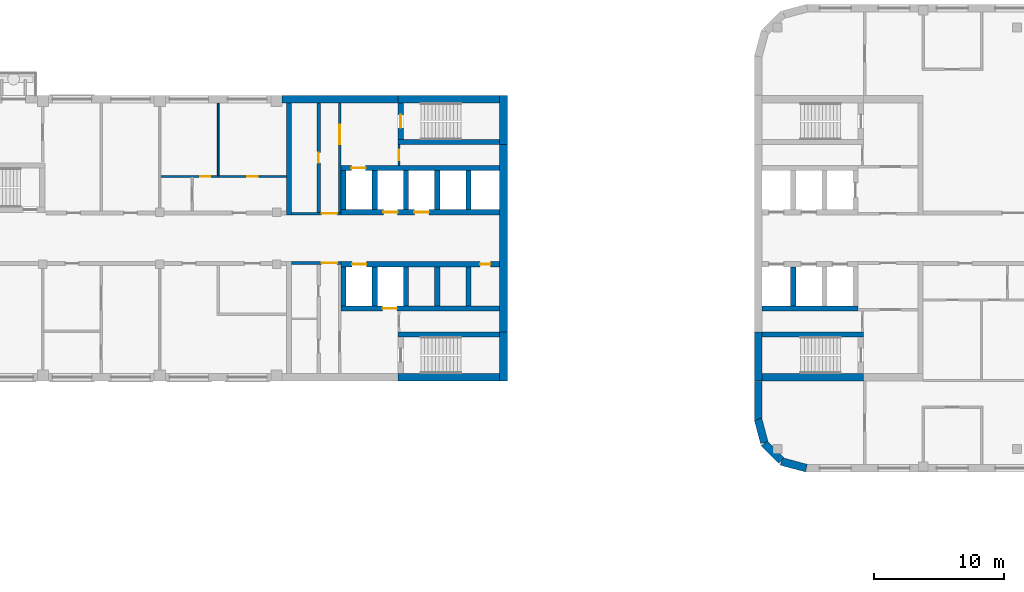
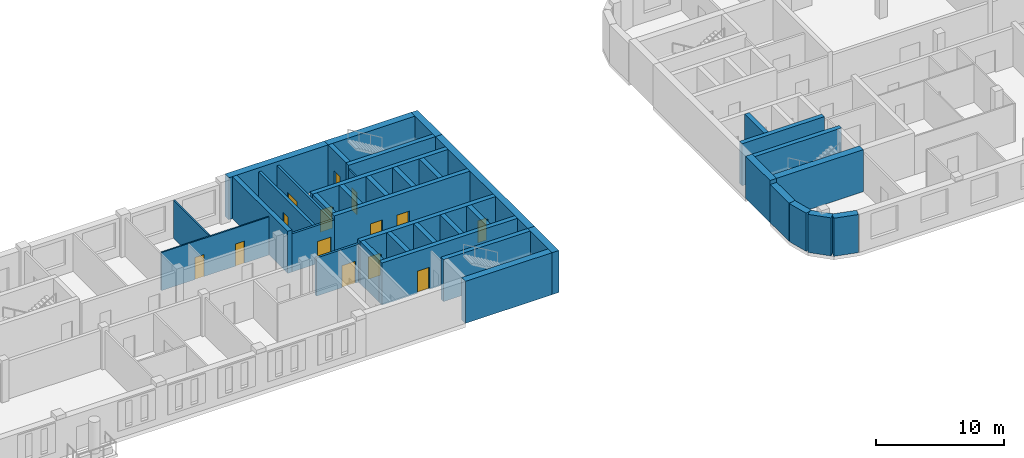
# One storey, part 6 of 16: 40 walls, 14 doors, 14 openings.
"""IFC4 building model written with IfcOpenShell, lengths in metres."""

from ifc_helpers import new_model, si_unit, direction, frame, frame_2d, origin, place, context, subcontext, project, spatial, rectangle, extrude, material, layer, layer_set, type_object, element, fill, save


model = new_model("IFC4")

# Units and contexts
model_context = context("Model", 3, precision=1e-05, world=origin(), true_north=direction((0.0, 1.0)))
body_context = subcontext(model_context, "Body", "Model", "MODEL_VIEW")
ifc_project = project(units=[si_unit("LENGTHUNIT", "METRE"), si_unit("AREAUNIT", "SQUARE_METRE"), si_unit("VOLUMEUNIT", "CUBIC_METRE"), si_unit("PLANEANGLEUNIT", "RADIAN"), si_unit("MASSUNIT", "GRAM", prefix="KILO")], contexts=[model_context])

# Site, building, storey
site_placement = place(None, origin())
site = spatial("IfcSite", under=ifc_project, at=site_placement, CompositionType="ELEMENT")
building_placement = place(site_placement, origin())
building = spatial("IfcBuilding", under=site, at=building_placement, Name="Skarvind Civic Tower", CompositionType="ELEMENT")
storey_placement = place(building_placement, frame((0.0, 0.0, 81.0)))
storey = spatial("IfcBuildingStorey", under=building, at=storey_placement, Name="L18", CompositionType="ELEMENT", Elevation=81.0)

# Wall, opening, door
ifc_material_1 = material(Name="Fire-rated masonry partition", Category="masonry")
ifc_layer_1 = layer(ifc_material_1, 0.199951171875)
ifc_layer_set_1 = layer_set([ifc_layer_1], Name="Core enclosure wall 200")
wall_type_1 = type_object("IfcWallType", Name="Core enclosure wall 200", PredefinedType="PARTITIONING", material=ifc_layer_set_1)
wall_1_placement = place(storey_placement, frame((95.199951171875, 126.10009765625, 0.0), z_axis=(0.0, 0.0, 1.0), x_axis=(-1.0, 0.0, 0.0)))
wall_1 = element("IfcWall", 1, at=wall_1_placement, inside=storey, type_object=wall_type_1, Name="Core wall C1", PredefinedType="PARTITIONING", context=body_context, shape_type="SweptSolid", body=[
    extrude(rectangle(XDim=3.800048828125, YDim=0.199951171875, at=frame_2d((1.89990234375, 0.0))), origin(), (0.0, 0.0, 1.0), 3.625),
])
opening_1_placement = place(wall_1_placement, frame((0.300048828125, 0.0, 0.0)))
opening_1 = element("IfcOpeningElement", 2, at=opening_1_placement, cuts=wall_1, Name="Opening D-L18-C1-05", PredefinedType="OPENING", context=body_context, shape_type="SweptSolid", body=[
    extrude(rectangle(XDim=1.199951171875, YDim=2.10009765625, at=frame_2d((0.60009765625, 1.050048828125))), frame((0.0, 0.10986328125, 0.0), z_axis=(0.0, -1.0, 0.0), x_axis=(1.0, 0.0, 0.0)), (0.0, 0.0, 1.0), 0.219970703125),
])
ifc_material_2 = material(Name="Fire-rated steel door", Category="steel")
door_type_1 = type_object("IfcDoorType", Name="Core lobby door 1200", OperationType="NOTDEFINED", PredefinedType="DOOR", material=ifc_material_2)
door_1_placement = place(opening_1_placement, origin())
door_1 = element("IfcDoor", 3, at=door_1_placement, inside=storey, type_object=door_type_1, Name="Fire door", OperationType="DOUBLE_DOOR_SINGLE_SWING", OverallHeight=2.10009765625, OverallWidth=1.199951171875, PredefinedType="DOOR", context=body_context, shape_type="SweptSolid", body=[
    extrude(rectangle(XDim=1.199951171875, YDim=2.10009765625, at=frame_2d((0.60009765625, 1.050048828125))), frame((0.0, 0.02490234375, 0.0), z_axis=(0.0, -1.0, 0.0), x_axis=(1.0, 0.0, 0.0)), (0.0, 0.0, 1.0), 0.050048828125),
])
fill(opening_1, door_1)

wall_2_placement = place(storey_placement, frame((91.39990234375, 129.89990234375, 0.0), z_axis=(0.0, 0.0, 1.0), x_axis=(1.0, 0.0, 0.0)))
wall_2 = element("IfcWall", 4, at=wall_2_placement, inside=storey, type_object=wall_type_1, Name="Core wall C1", PredefinedType="PARTITIONING", context=body_context, shape_type="SweptSolid", body=[
    extrude(rectangle(XDim=3.800048828125, YDim=0.199951171875, at=frame_2d((1.89990234375, 0.0))), origin(), (0.0, 0.0, 1.0), 3.625),
])
opening_2_placement = place(wall_2_placement, frame((2.300048828125, 0.0, 0.0)))
opening_2 = element("IfcOpeningElement", 5, at=opening_2_placement, cuts=wall_2, Name="Opening D-L18-C1-11", PredefinedType="OPENING", context=body_context, shape_type="SweptSolid", body=[
    extrude(rectangle(XDim=1.199951171875, YDim=2.10009765625, at=frame_2d((0.60009765625, 1.050048828125))), frame((0.0, 0.10986328125, 0.0), z_axis=(0.0, -1.0, 0.0), x_axis=(1.0, 0.0, 0.0)), (0.0, 0.0, 1.0), 0.219970703125),
])
door_2_placement = place(opening_2_placement, origin())
door_2 = element("IfcDoor", 6, at=door_2_placement, inside=storey, type_object=door_type_1, Name="Fire door", OperationType="DOUBLE_DOOR_SINGLE_SWING", OverallHeight=2.10009765625, OverallWidth=1.199951171875, PredefinedType="DOOR", context=body_context, shape_type="SweptSolid", body=[
    extrude(rectangle(XDim=1.199951171875, YDim=2.10009765625, at=frame_2d((0.60009765625, 1.050048828125))), frame((0.0, 0.02490234375, 0.0), z_axis=(0.0, -1.0, 0.0), x_axis=(1.0, 0.0, 0.0)), (0.0, 0.0, 1.0), 0.050048828125),
])
fill(opening_2, door_2)

wall_3_placement = place(storey_placement, frame((95.10009765625, 130.0, 0.0), z_axis=(0.0, 0.0, 1.0), x_axis=(0.0, 1.0, 0.0)))
wall_3 = element("IfcWall", 7, at=wall_3_placement, inside=storey, type_object=wall_type_1, Name="Core wall C1", PredefinedType="PARTITIONING", context=body_context, shape_type="SweptSolid", body=[
    extrude(rectangle(XDim=8.39990234375, YDim=0.199951171875, at=frame_2d((4.199951171875, 0.0))), origin(), (0.0, 0.0, 1.0), 3.625),
])
opening_3_placement = place(wall_3_placement, frame((5.25, 0.0, 0.0)))
opening_3 = element("IfcOpeningElement", 8, at=opening_3_placement, cuts=wall_3, Name="Opening D-L18-C1-12", PredefinedType="OPENING", context=body_context, shape_type="SweptSolid", body=[
    extrude(rectangle(XDim=1.5, YDim=2.10009765625, at=frame_2d((0.75, 1.050048828125))), frame((0.0, 0.10986328125, 0.0), z_axis=(0.0, -1.0, 0.0), x_axis=(1.0, 0.0, 0.0)), (0.0, 0.0, 1.0), 0.219970703125),
])
door_type_2 = type_object("IfcDoorType", Name="Fire door 1500", OperationType="NOTDEFINED", PredefinedType="DOOR", material=ifc_material_2)
door_3_placement = place(opening_3_placement, origin())
door_3 = element("IfcDoor", 9, at=door_3_placement, inside=storey, type_object=door_type_2, Name="Fire door", OperationType="DOUBLE_DOOR_SINGLE_SWING", OverallHeight=2.10009765625, OverallWidth=1.5, PredefinedType="DOOR", context=body_context, shape_type="SweptSolid", body=[
    extrude(rectangle(XDim=1.5, YDim=2.10009765625, at=frame_2d((0.75, 1.050048828125))), frame((0.0, 0.02490234375, 0.0), z_axis=(0.0, -1.0, 0.0), x_axis=(1.0, 0.0, 0.0)), (0.0, 0.0, 1.0), 0.050048828125),
])
fill(opening_3, door_3)

# Wall
ifc_material_3 = material(Name="Concrete C80", Category="concrete")
ifc_layer_2 = layer(ifc_material_3, 0.39990234375)
ifc_layer_set_2 = layer_set([ifc_layer_2], Name="Core wall 400 C80")
wall_type_2 = type_object("IfcWallType", Name="Core wall 400 C80", PredefinedType="SHEAR", material=ifc_layer_set_2)
wall_4_placement = place(storey_placement, frame((107.39990234375, 135.39990234375, 0.0), z_axis=(0.0, 0.0, 1.0), x_axis=(-1.0, 0.0, 0.0)))
element("IfcWall", 10, at=wall_4_placement, inside=storey, type_object=wall_type_2, Name="Core wall C1 south stair inner L18", PredefinedType="SHEAR", context=body_context, shape_type="SweptSolid", body=[
    extrude(rectangle(XDim=7.7998046875, YDim=0.39990234375, at=frame_2d((3.89990234375, 0.0))), origin(), (0.0, 0.0, 1.0), 4.0),
])

# Wall, opening, door
wall_5_placement = place(storey_placement, frame((99.800048828125, 138.39990234375, 0.0), z_axis=(0.0, 0.0, 1.0), x_axis=(0.0, -1.0, 0.0)))
wall_5 = element("IfcWall", 11, at=wall_5_placement, inside=storey, type_object=wall_type_2, Name="Core wall C1 south stair end L18", PredefinedType="SHEAR", context=body_context, shape_type="SweptSolid", body=[
    extrude(rectangle(XDim=2.7998046875, YDim=0.39990234375, at=frame_2d((1.39990234375, 0.0))), origin(), (0.0, 0.0, 1.0), 4.0),
])
opening_4_placement = place(wall_5_placement, frame((0.89990234375, 0.0, 0.0)))
opening_4 = element("IfcOpeningElement", 12, at=opening_4_placement, cuts=wall_5, Name="Opening D-L18-C1-13", PredefinedType="OPENING", context=body_context, shape_type="SweptSolid", body=[
    extrude(rectangle(XDim=1.0, YDim=2.10009765625, at=frame_2d((0.5, 1.050048828125))), frame((0.0, 0.2099609375, 0.0), z_axis=(0.0, -1.0, 0.0), x_axis=(1.0, 0.0, 0.0)), (0.0, 0.0, 1.0), 0.419921875),
])
door_type_3 = type_object("IfcDoorType", Name="Fire door 1000", OperationType="NOTDEFINED", PredefinedType="DOOR", material=ifc_material_2)
door_4_placement = place(opening_4_placement, origin())
door_4 = element("IfcDoor", 13, at=door_4_placement, inside=storey, type_object=door_type_3, Name="Fire door", OperationType="SINGLE_SWING_RIGHT", OverallHeight=2.10009765625, OverallWidth=1.0, PredefinedType="DOOR", context=body_context, shape_type="SweptSolid", body=[
    extrude(rectangle(XDim=1.0, YDim=2.10009765625, at=frame_2d((0.5, 1.050048828125))), frame((0.0, 0.02490234375, 0.0), z_axis=(0.0, -1.0, 0.0), x_axis=(1.0, 0.0, 0.0)), (0.0, 0.0, 1.0), 0.050048828125),
])
fill(opening_4, door_4)

# Wall
wall_6_placement = place(storey_placement, frame((107.39990234375, 120.60009765625, 0.0), z_axis=(0.0, 0.0, 1.0), x_axis=(-1.0, 0.0, 0.0)))
element("IfcWall", 14, at=wall_6_placement, inside=storey, type_object=wall_type_2, Name="Core wall C1 north stair inner L18", PredefinedType="SHEAR", context=body_context, shape_type="SweptSolid", body=[
    extrude(rectangle(XDim=7.7998046875, YDim=0.39990234375, at=frame_2d((3.89990234375, 0.0))), origin(), (0.0, 0.0, 1.0), 4.0),
])

# Wall, openings, doors
wall_7_placement = place(storey_placement, frame((107.39990234375, 130.0, 0.0), z_axis=(0.0, 0.0, 1.0), x_axis=(-1.0, 0.0, 0.0)))
wall_7 = element("IfcWall", 15, at=wall_7_placement, inside=storey, type_object=wall_type_2, Name="Core wall C1 south lift row front L18", PredefinedType="SHEAR", context=body_context, shape_type="SweptSolid", body=[
    extrude(rectangle(XDim=12.199951171875, YDim=0.39990234375, at=frame_2d((6.10009765625, 0.0))), origin(), (0.0, 0.0, 1.0), 4.0),
])
opening_5_placement = place(wall_7_placement, frame((5.449951171875, 0.0, 0.0)))
opening_5 = element("IfcOpeningElement", 16, at=opening_5_placement, cuts=wall_7, Name="Opening LD20108", PredefinedType="OPENING", context=body_context, shape_type="SweptSolid", body=[
    extrude(rectangle(XDim=1.10009765625, YDim=2.10009765625, at=frame_2d((0.550048828125, 1.050048828125))), frame((0.0, 0.2099609375, 0.0), z_axis=(0.0, -1.0, 0.0), x_axis=(1.0, 0.0, 0.0)), (0.0, 0.0, 1.0), 0.419921875),
])
opening_6_placement = place(wall_7_placement, frame((7.85009765625, 0.0, 0.0)))
opening_6 = element("IfcOpeningElement", 17, at=opening_6_placement, cuts=wall_7, Name="Opening LD20109", PredefinedType="OPENING", context=body_context, shape_type="SweptSolid", body=[
    extrude(rectangle(XDim=1.10009765625, YDim=2.10009765625, at=frame_2d((0.550048828125, 1.050048828125))), frame((0.0, 0.2099609375, 0.0), z_axis=(0.0, -1.0, 0.0), x_axis=(1.0, 0.0, 0.0)), (0.0, 0.0, 1.0), 0.419921875),
])
ifc_material_4 = material(Name="Stainless steel landing door", Category="steel")
door_type_4 = type_object("IfcDoorType", Name="Lift landing door 1100", OperationType="DOUBLE_DOOR_SLIDING", PredefinedType="DOOR", material=ifc_material_4)
door_5_placement = place(opening_5_placement, origin())
door_5 = element("IfcDoor", 18, at=door_5_placement, inside=storey, type_object=door_type_4, Name="Lift landing door", OperationType="DOUBLE_DOOR_SLIDING", OverallHeight=2.10009765625, OverallWidth=1.10009765625, PredefinedType="DOOR", context=body_context, shape_type="SweptSolid", body=[
    extrude(rectangle(XDim=1.10009765625, YDim=2.10009765625, at=frame_2d((0.550048828125, 1.050048828125))), frame((0.0, 0.02490234375, 0.0), z_axis=(0.0, -1.0, 0.0), x_axis=(1.0, 0.0, 0.0)), (0.0, 0.0, 1.0), 0.050048828125),
])
fill(opening_5, door_5)
door_6_placement = place(opening_6_placement, origin())
door_6 = element("IfcDoor", 19, at=door_6_placement, inside=storey, type_object=door_type_4, Name="Lift landing door", OperationType="DOUBLE_DOOR_SLIDING", OverallHeight=2.10009765625, OverallWidth=1.10009765625, PredefinedType="DOOR", context=body_context, shape_type="SweptSolid", body=[
    extrude(rectangle(XDim=1.10009765625, YDim=2.10009765625, at=frame_2d((0.550048828125, 1.050048828125))), frame((0.0, 0.02490234375, 0.0), z_axis=(0.0, -1.0, 0.0), x_axis=(1.0, 0.0, 0.0)), (0.0, 0.0, 1.0), 0.050048828125),
])
fill(opening_6, door_6)

# Wall, opening, door
wall_8_placement = place(storey_placement, frame((107.39990234375, 133.39990234375, 0.0), z_axis=(0.0, 0.0, 1.0), x_axis=(-1.0, 0.0, 0.0)))
wall_8 = element("IfcWall", 20, at=wall_8_placement, inside=storey, type_object=wall_type_2, Name="Core wall C1 south lift row back L18", PredefinedType="SHEAR", context=body_context, shape_type="SweptSolid", body=[
    extrude(rectangle(XDim=12.199951171875, YDim=0.39990234375, at=frame_2d((6.10009765625, 0.0))), origin(), (0.0, 0.0, 1.0), 4.0),
])
opening_7_placement = place(wall_8_placement, frame((10.300048828125, 0.0, 0.0)))
opening_7 = element("IfcOpeningElement", 21, at=opening_7_placement, cuts=wall_8, Name="Opening LD20110", PredefinedType="OPENING", context=body_context, shape_type="SweptSolid", body=[
    extrude(rectangle(XDim=1.10009765625, YDim=2.10009765625, at=frame_2d((0.550048828125, 1.050048828125))), frame((0.0, 0.2099609375, 0.0), z_axis=(0.0, -1.0, 0.0), x_axis=(1.0, 0.0, 0.0)), (0.0, 0.0, 1.0), 0.419921875),
])
door_7_placement = place(opening_7_placement, origin())
door_7 = element("IfcDoor", 22, at=door_7_placement, inside=storey, type_object=door_type_4, Name="Lift landing door", OperationType="DOUBLE_DOOR_SLIDING", OverallHeight=2.10009765625, OverallWidth=1.10009765625, PredefinedType="DOOR", context=body_context, shape_type="SweptSolid", body=[
    extrude(rectangle(XDim=1.10009765625, YDim=2.10009765625, at=frame_2d((0.550048828125, 1.050048828125))), frame((0.0, 0.02490234375, 0.0), z_axis=(0.0, -1.0, 0.0), x_axis=(1.0, 0.0, 0.0)), (0.0, 0.0, 1.0), 0.050048828125),
])
fill(opening_7, door_7)

# Walls
for number, where, z_axis, x_axis, name in (
    (23, (105.0, 133.199951171875, 0.0), (0.0, 0.0, 1.0), (0.0, -1.0, 0.0), "Core wall C1 south lift row division 1 L18"),
    (24, (102.60009765625, 133.199951171875, 0.0), (0.0, 0.0, 1.0), (0.0, -1.0, 0.0), "Core wall C1 south lift row division 2 L18"),
    (25, (100.199951171875, 133.199951171875, 0.0), (0.0, 0.0, 1.0), (0.0, -1.0, 0.0), "Core wall C1 south lift row division 3 L18"),
    (26, (97.800048828125, 133.199951171875, 0.0), (0.0, 0.0, 1.0), (0.0, -1.0, 0.0), "Core wall C1 south lift row division 4 L18"),
    (27, (95.39990234375, 133.199951171875, 0.0), (0.0, 0.0, 1.0), (0.0, -1.0, 0.0), "Core wall C1 south lift row division 5 L18"),
):
    element("IfcWall", number, at=place(storey_placement, frame(where, z_axis=z_axis, x_axis=x_axis)), inside=storey, type_object=wall_type_2, Name=name, PredefinedType="SHEAR", context=body_context, shape_type="SweptSolid", body=[
        extrude(rectangle(XDim=3.0, YDim=0.39990234375, at=frame_2d((1.5, 0.0))), origin(), (0.0, 0.0, 1.0), 4.0),
    ])

# Wall, openings, doors
wall_9_placement = place(storey_placement, frame((107.39990234375, 126.0, 0.0), z_axis=(0.0, 0.0, 1.0), x_axis=(-1.0, 0.0, 0.0)))
wall_9 = element("IfcWall", 28, at=wall_9_placement, inside=storey, type_object=wall_type_2, Name="Core wall C1 north lift row front L18", PredefinedType="SHEAR", context=body_context, shape_type="SweptSolid", body=[
    extrude(rectangle(XDim=12.199951171875, YDim=0.39990234375, at=frame_2d((6.10009765625, 0.0))), origin(), (0.0, 0.0, 1.0), 4.0),
])
opening_8_placement = place(wall_9_placement, frame((10.25, 0.0, 0.0)))
opening_8 = element("IfcOpeningElement", 29, at=opening_8_placement, cuts=wall_9, Name="Opening LD20105", PredefinedType="OPENING", context=body_context, shape_type="SweptSolid", body=[
    extrude(rectangle(XDim=1.10009765625, YDim=2.10009765625, at=frame_2d((0.550048828125, 1.050048828125))), frame((0.0, 0.2099609375, 0.0), z_axis=(0.0, -1.0, 0.0), x_axis=(1.0, 0.0, 0.0)), (0.0, 0.0, 1.0), 0.419921875),
])
opening_9_placement = place(wall_9_placement, frame((0.699951171875, 0.0, 0.0)))
opening_9 = element("IfcOpeningElement", 30, at=opening_9_placement, cuts=wall_9, Name="Opening D-L18-C1-04", PredefinedType="OPENING", context=body_context, shape_type="SweptSolid", body=[
    extrude(rectangle(XDim=0.800048828125, YDim=2.10009765625, at=frame_2d((0.39990234375, 1.050048828125))), frame((0.0, 0.2099609375, 0.0), z_axis=(0.0, -1.0, 0.0), x_axis=(1.0, 0.0, 0.0)), (0.0, 0.0, 1.0), 0.419921875),
])
door_type_5 = type_object("IfcDoorType", Name="Core riser door 800", OperationType="NOTDEFINED", PredefinedType="DOOR", material=ifc_material_2)
door_8_placement = place(opening_9_placement, origin())
door_8 = element("IfcDoor", 31, at=door_8_placement, inside=storey, type_object=door_type_5, Name="Riser door", OperationType="SINGLE_SWING_LEFT", OverallHeight=2.10009765625, OverallWidth=0.800048828125, PredefinedType="DOOR", context=body_context, shape_type="SweptSolid", body=[
    extrude(rectangle(XDim=0.800048828125, YDim=2.10009765625, at=frame_2d((0.39990234375, 1.050048828125))), frame((0.0, 0.02490234375, 0.0), z_axis=(0.0, -1.0, 0.0), x_axis=(1.0, 0.0, 0.0)), (0.0, 0.0, 1.0), 0.050048828125),
])
fill(opening_9, door_8)
door_9_placement = place(opening_8_placement, origin())
door_9 = element("IfcDoor", 32, at=door_9_placement, inside=storey, type_object=door_type_4, Name="Lift landing door", OperationType="DOUBLE_DOOR_SLIDING", OverallHeight=2.10009765625, OverallWidth=1.10009765625, PredefinedType="DOOR", context=body_context, shape_type="SweptSolid", body=[
    extrude(rectangle(XDim=1.10009765625, YDim=2.10009765625, at=frame_2d((0.550048828125, 1.050048828125))), frame((0.0, 0.02490234375, 0.0), z_axis=(0.0, -1.0, 0.0), x_axis=(1.0, 0.0, 0.0)), (0.0, 0.0, 1.0), 0.050048828125),
])
fill(opening_8, door_9)

# Wall, opening, door
wall_10_placement = place(storey_placement, frame((107.39990234375, 122.60009765625, 0.0), z_axis=(0.0, 0.0, 1.0), x_axis=(-1.0, 0.0, 0.0)))
wall_10 = element("IfcWall", 33, at=wall_10_placement, inside=storey, type_object=wall_type_2, Name="Core wall C1 north lift row back L18", PredefinedType="SHEAR", context=body_context, shape_type="SweptSolid", body=[
    extrude(rectangle(XDim=12.199951171875, YDim=0.39990234375, at=frame_2d((6.10009765625, 0.0))), origin(), (0.0, 0.0, 1.0), 4.0),
])
opening_10_placement = place(wall_10_placement, frame((7.89990234375, 0.0, 0.0)))
opening_10 = element("IfcOpeningElement", 34, at=opening_10_placement, cuts=wall_10, Name="Opening LD20104", PredefinedType="OPENING", context=body_context, shape_type="SweptSolid", body=[
    extrude(rectangle(XDim=1.10009765625, YDim=2.10009765625, at=frame_2d((0.550048828125, 1.050048828125))), frame((0.0, 0.2099609375, 0.0), z_axis=(0.0, -1.0, 0.0), x_axis=(1.0, 0.0, 0.0)), (0.0, 0.0, 1.0), 0.419921875),
])
door_10_placement = place(opening_10_placement, origin())
door_10 = element("IfcDoor", 35, at=door_10_placement, inside=storey, type_object=door_type_4, Name="Lift landing door", OperationType="DOUBLE_DOOR_SLIDING", OverallHeight=2.10009765625, OverallWidth=1.10009765625, PredefinedType="DOOR", context=body_context, shape_type="SweptSolid", body=[
    extrude(rectangle(XDim=1.10009765625, YDim=2.10009765625, at=frame_2d((0.550048828125, 1.050048828125))), frame((0.0, 0.02490234375, 0.0), z_axis=(0.0, -1.0, 0.0), x_axis=(1.0, 0.0, 0.0)), (0.0, 0.0, 1.0), 0.050048828125),
])
fill(opening_10, door_10)

# Walls
for number, where, z_axis, x_axis, name in (
    (36, (105.0, 125.800048828125, 0.0), (0.0, 0.0, 1.0), (0.0, -1.0, 0.0), "Core wall C1 north lift row division 1 L18"),
    (37, (102.60009765625, 125.800048828125, 0.0), (0.0, 0.0, 1.0), (0.0, -1.0, 0.0), "Core wall C1 north lift row division 2 L18"),
    (38, (100.199951171875, 125.800048828125, 0.0), (0.0, 0.0, 1.0), (0.0, -1.0, 0.0), "Core wall C1 north lift row division 3 L18"),
    (39, (97.800048828125, 125.800048828125, 0.0), (0.0, 0.0, 1.0), (0.0, -1.0, 0.0), "Core wall C1 north lift row division 4 L18"),
    (40, (95.39990234375, 125.800048828125, 0.0), (0.0, 0.0, 1.0), (0.0, -1.0, 0.0), "Core wall C1 north lift row division 5 L18"),
):
    element("IfcWall", number, at=place(storey_placement, frame(where, z_axis=z_axis, x_axis=x_axis)), inside=storey, type_object=wall_type_2, Name=name, PredefinedType="SHEAR", context=body_context, shape_type="SweptSolid", body=[
        extrude(rectangle(XDim=3.0, YDim=0.39990234375, at=frame_2d((1.5, 0.0))), origin(), (0.0, 0.0, 1.0), 4.0),
    ])
wall_11_placement = place(storey_placement, frame((91.199951171875, 138.39990234375, 0.0), z_axis=(0.0, 0.0, 1.0), x_axis=(0.0, -1.0, 0.0)))
element("IfcWall", 41, at=wall_11_placement, inside=storey, type_object=wall_type_2, Name="Core wall C1 south inner face L18", PredefinedType="SHEAR", context=body_context, shape_type="SweptSolid", body=[
    extrude(rectangle(XDim=8.599853515625, YDim=0.39990234375, at=frame_2d((4.2998046875, 0.0))), origin(), (0.0, 0.0, 1.0), 4.0),
])
wall_12_placement = place(storey_placement, frame((127.60009765625, 120.60009765625, 0.0), z_axis=(0.0, 0.0, 1.0), x_axis=(1.0, 0.0, 0.0)))
element("IfcWall", 42, at=wall_12_placement, inside=storey, type_object=wall_type_2, Name="Core wall CA south stair inner L18", PredefinedType="SHEAR", context=body_context, shape_type="SweptSolid", body=[
    extrude(rectangle(XDim=7.7998046875, YDim=0.39990234375, at=frame_2d((3.89990234375, 0.0))), origin(), (0.0, 0.0, 1.0), 4.0),
])
wall_13_placement = place(storey_placement, frame((127.60009765625, 122.60009765625, 0.0), z_axis=(0.0, 0.0, 1.0), x_axis=(1.0, 0.0, 0.0)))
element("IfcWall", 43, at=wall_13_placement, inside=storey, type_object=wall_type_2, Name="Core wall CA south lift row back L18", PredefinedType="SHEAR", context=body_context, shape_type="SweptSolid", body=[
    extrude(rectangle(XDim=7.39990234375, YDim=0.39990234375, at=frame_2d((3.699951171875, 0.0))), origin(), (0.0, 0.0, 1.0), 4.0),
])
wall_14_placement = place(storey_placement, frame((130.0, 122.800048828125, 0.0), z_axis=(0.0, 0.0, 1.0), x_axis=(0.0, 1.0, 0.0)))
element("IfcWall", 44, at=wall_14_placement, inside=storey, type_object=wall_type_2, Name="Core wall CA south lift row division 1 L18", PredefinedType="SHEAR", context=body_context, shape_type="SweptSolid", body=[
    extrude(rectangle(XDim=3.0, YDim=0.39990234375, at=frame_2d((1.5, 0.0))), origin(), (0.0, 0.0, 1.0), 4.0),
])
ifc_layer_3 = layer(ifc_material_3, 0.60009765625)
ifc_layer_set_3 = layer_set([ifc_layer_3], Name="Core wall 600 C80")
wall_type_3 = type_object("IfcWallType", Name="Core wall 600 C80", PredefinedType="SHEAR", material=ifc_layer_set_3)
wall_15_placement = place(storey_placement, frame((107.699951171875, 139.0, 0.0), z_axis=(0.0, 0.0, 1.0), x_axis=(0.0, -1.0, 0.0)))
element("IfcWall", 45, at=wall_15_placement, inside=storey, type_object=wall_type_3, Name="Core wall C1 tip at the south stair L18", PredefinedType="SHEAR", context=body_context, shape_type="SweptSolid", body=[
    extrude(rectangle(XDim=3.800048828125, YDim=0.60009765625, at=frame_2d((1.89990234375, 0.0))), origin(), (0.0, 0.0, 1.0), 4.0),
])
wall_16_placement = place(storey_placement, frame((107.699951171875, 135.199951171875, 0.0), z_axis=(0.0, 0.0, 1.0), x_axis=(0.0, -1.0, 0.0)))
element("IfcWall", 46, at=wall_16_placement, inside=storey, type_object=wall_type_3, Name="Core wall C1 tip between the stairs L18", PredefinedType="SHEAR", context=body_context, shape_type="SweptSolid", body=[
    extrude(rectangle(XDim=14.39990234375, YDim=0.60009765625, at=frame_2d((7.199951171875, 0.0))), origin(), (0.0, 0.0, 1.0), 4.0),
])
wall_17_placement = place(storey_placement, frame((107.699951171875, 120.800048828125, 0.0), z_axis=(0.0, 0.0, 1.0), x_axis=(0.0, -1.0, 0.0)))
element("IfcWall", 47, at=wall_17_placement, inside=storey, type_object=wall_type_3, Name="Core wall C1 tip at the north stair L18", PredefinedType="SHEAR", context=body_context, shape_type="SweptSolid", body=[
    extrude(rectangle(XDim=3.800048828125, YDim=0.60009765625, at=frame_2d((1.89990234375, 0.0))), origin(), (0.0, 0.0, 1.0), 4.0),
])
for number, where, z_axis, x_axis, name in (
    (48, (107.39990234375, 138.699951171875, 0.0), (0.0, 0.0, 1.0), (-1.0, 0.0, 0.0), "Core wall C1 south side at the stair L18"),
    (49, (107.39990234375, 117.300048828125, 0.0), (0.0, 0.0, 1.0), (-1.0, 0.0, 0.0), "Core wall C1 north side at the stair L18"),
):
    element("IfcWall", number, at=place(storey_placement, frame(where, z_axis=z_axis, x_axis=x_axis)), inside=storey, type_object=wall_type_3, Name=name, PredefinedType="SHEAR", context=body_context, shape_type="SweptSolid", body=[
        extrude(rectangle(XDim=7.7998046875, YDim=0.60009765625, at=frame_2d((3.89990234375, 0.0))), origin(), (0.0, 0.0, 1.0), 4.0),
    ])
wall_18_placement = place(storey_placement, frame((99.60009765625, 138.699951171875, 0.0), z_axis=(0.0, 0.0, 1.0), x_axis=(-1.0, 0.0, 0.0)))
element("IfcWall", 50, at=wall_18_placement, inside=storey, type_object=wall_type_3, Name="Core wall C1 south side L18", PredefinedType="SHEAR", context=body_context, shape_type="SweptSolid", body=[
    extrude(rectangle(XDim=8.925048828125, YDim=0.60009765625, at=frame_2d((4.46240234375, 0.0))), origin(), (0.0, 0.0, 1.0), 4.0),
])
wall_19_placement = place(storey_placement, frame((127.300048828125, 117.0, 0.0), z_axis=(0.0, 0.0, 1.0), x_axis=(0.0, 1.0, 0.0)))
element("IfcWall", 51, at=wall_19_placement, inside=storey, type_object=wall_type_3, Name="Core wall CA tip at the south stair L18", PredefinedType="SHEAR", context=body_context, shape_type="SweptSolid", body=[
    extrude(rectangle(XDim=3.800048828125, YDim=0.60009765625, at=frame_2d((1.89990234375, 0.0))), origin(), (0.0, 0.0, 1.0), 4.0),
])
wall_20_placement = place(storey_placement, frame((127.60009765625, 117.300048828125, 0.0), z_axis=(0.0, 0.0, 1.0), x_axis=(1.0, 0.0, 0.0)))
element("IfcWall", 52, at=wall_20_placement, inside=storey, type_object=wall_type_3, Name="Core wall CA south side at the stair L18", PredefinedType="SHEAR", context=body_context, shape_type="SweptSolid", body=[
    extrude(rectangle(XDim=7.7998046875, YDim=0.60009765625, at=frame_2d((3.89990234375, 0.0))), origin(), (0.0, 0.0, 1.0), 4.0),
])

# Wall, opening, door
ifc_layer_4 = layer(ifc_material_1, 0.125)
ifc_layer_set_4 = layer_set([ifc_layer_4], Name="Riser wall 125")
wall_type_4 = type_object("IfcWallType", Name="Riser wall 125", PredefinedType="PARTITIONING", material=ifc_layer_set_4)
wall_21_placement = place(storey_placement, frame((99.66259765625, 133.60009765625, 0.0), z_axis=(0.0, 0.0, 1.0), x_axis=(0.0, 1.0, 0.0)))
wall_21 = element("IfcWall", 53, at=wall_21_placement, inside=storey, type_object=wall_type_4, Name="Core wall C1", PredefinedType="PARTITIONING", context=body_context, shape_type="SweptSolid", body=[
    extrude(rectangle(XDim=1.599853515625, YDim=0.125, at=frame_2d((0.7998046875, 0.0))), origin(), (0.0, 0.0, 1.0), 3.625),
])
opening_11_placement = place(wall_21_placement, frame((0.39990234375, 0.0, 0.0)))
opening_11 = element("IfcOpeningElement", 54, at=opening_11_placement, cuts=wall_21, Name="Opening D-L18-C1-14", PredefinedType="OPENING", context=body_context, shape_type="SweptSolid", body=[
    extrude(rectangle(XDim=0.800048828125, YDim=2.10009765625, at=frame_2d((0.39990234375, 1.050048828125))), frame((0.0, 0.072509765625, 0.0), z_axis=(0.0, -1.0, 0.0), x_axis=(1.0, 0.0, 0.0)), (0.0, 0.0, 1.0), 0.14501953125),
])
door_11_placement = place(opening_11_placement, origin())
door_11 = element("IfcDoor", 55, at=door_11_placement, inside=storey, type_object=door_type_5, Name="Riser door", OperationType="SINGLE_SWING_LEFT", OverallHeight=2.10009765625, OverallWidth=0.800048828125, PredefinedType="DOOR", context=body_context, shape_type="SweptSolid", body=[
    extrude(rectangle(XDim=0.800048828125, YDim=2.10009765625, at=frame_2d((0.39990234375, 1.050048828125))), frame((0.0, 0.02490234375, 0.0), z_axis=(0.0, -1.0, 0.0), x_axis=(1.0, 0.0, 0.0)), (0.0, 0.0, 1.0), 0.050048828125),
])
fill(opening_11, door_11)

ifc_layer_5 = layer(ifc_material_1, 0.25)
ifc_layer_set_5 = layer_set([ifc_layer_5], Name="Service block wall 250")
wall_type_5 = type_object("IfcWallType", Name="Service block wall 250", PredefinedType="PARTITIONING", material=ifc_layer_set_5)
wall_22_placement = place(storey_placement, frame((93.47509765625, 130.0, 0.0), z_axis=(0.0, 0.0, 1.0), x_axis=(0.0, 1.0, 0.0)))
wall_22 = element("IfcWall", 56, at=wall_22_placement, inside=storey, type_object=wall_type_5, Name="Core wall C1", PredefinedType="PARTITIONING", context=body_context, shape_type="SweptSolid", body=[
    extrude(rectangle(XDim=8.39990234375, YDim=0.25, at=frame_2d((4.199951171875, 0.0))), origin(), (0.0, 0.0, 1.0), 3.625),
])
opening_12_placement = place(wall_22_placement, frame((3.800048828125, 0.0, 0.0)))
opening_12 = element("IfcOpeningElement", 57, at=opening_12_placement, cuts=wall_22, Name="Opening D-L18-C1-15", PredefinedType="OPENING", context=body_context, shape_type="SweptSolid", body=[
    extrude(rectangle(XDim=0.800048828125, YDim=2.10009765625, at=frame_2d((0.39990234375, 1.050048828125))), frame((0.0, 0.135009765625, 0.0), z_axis=(0.0, -1.0, 0.0), x_axis=(1.0, 0.0, 0.0)), (0.0, 0.0, 1.0), 0.27001953125),
])
door_12_placement = place(opening_12_placement, origin())
door_12 = element("IfcDoor", 58, at=door_12_placement, inside=storey, type_object=door_type_5, Name="Riser door", OperationType="SINGLE_SWING_RIGHT", OverallHeight=2.10009765625, OverallWidth=0.800048828125, PredefinedType="DOOR", context=body_context, shape_type="SweptSolid", body=[
    extrude(rectangle(XDim=0.800048828125, YDim=2.10009765625, at=frame_2d((0.39990234375, 1.050048828125))), frame((0.0, 0.02490234375, 0.0), z_axis=(0.0, -1.0, 0.0), x_axis=(1.0, 0.0, 0.0)), (0.0, 0.0, 1.0), 0.050048828125),
])
fill(opening_12, door_12)

# Wall, openings, doors
ifc_material_5 = material(Name="Moisture-resistant gypsum board on steel studs", Category="steel")
ifc_layer_6 = layer(ifc_material_5, 0.125)
ifc_layer_set_6 = layer_set([ifc_layer_6], Name="WC PARTITION 125")
wall_type_6 = type_object("IfcWallType", Name="WC PARTITION 125", PredefinedType="PARTITIONING", material=ifc_layer_set_6)
wall_23_placement = place(storey_placement, frame((81.31201171875, 132.75, 0.0), z_axis=(0.0, 0.0, 1.0), x_axis=(1.0, 0.0, 0.0)))
wall_23 = element("IfcWall", 59, at=wall_23_placement, inside=storey, type_object=wall_type_6, Name="Partition 18.029", PredefinedType="PARTITIONING", context=body_context, shape_type="SweptSolid", body=[
    extrude(rectangle(XDim=9.68798828125, YDim=0.125, at=frame_2d((4.843994140625, 0.0))), origin(), (0.0, 0.0, 1.0), 3.625),
])
opening_13_placement = place(wall_23_placement, frame((6.6630859375, 0.0, 0.0)))
opening_13 = element("IfcOpeningElement", 60, at=opening_13_placement, cuts=wall_23, Name="Opening L18-D003", PredefinedType="OPENING", context=body_context, shape_type="SweptSolid", body=[
    extrude(rectangle(XDim=0.800048828125, YDim=2.10009765625, at=frame_2d((0.39990234375, 1.050048828125))), frame((0.0, 0.072509765625, 0.0), z_axis=(0.0, -1.0, 0.0), x_axis=(1.0, 0.0, 0.0)), (0.0, 0.0, 1.0), 0.14501953125),
])
opening_14_placement = place(wall_23_placement, frame((3.03662109375, 0.0, 0.0)))
opening_14 = element("IfcOpeningElement", 61, at=opening_14_placement, cuts=wall_23, Name="Opening L18-D004", PredefinedType="OPENING", context=body_context, shape_type="SweptSolid", body=[
    extrude(rectangle(XDim=0.800048828125, YDim=2.10009765625, at=frame_2d((0.39990234375, 1.050048828125))), frame((0.0, 0.072509765625, 0.0), z_axis=(0.0, -1.0, 0.0), x_axis=(1.0, 0.0, 0.0)), (0.0, 0.0, 1.0), 0.14501953125),
])
ifc_material_6 = material(Name="Timber door leaf", Category="wood")
door_type_6 = type_object("IfcDoorType", Name="DOOR 800X2100 TIMBER", OperationType="NOTDEFINED", PredefinedType="DOOR", material=ifc_material_6)
door_13_placement = place(opening_13_placement, origin())
door_13 = element("IfcDoor", 62, at=door_13_placement, inside=storey, type_object=door_type_6, Name="Door L18-D003", OperationType="SINGLE_SWING_RIGHT", OverallHeight=2.10009765625, OverallWidth=0.800048828125, PredefinedType="DOOR", context=body_context, shape_type="SweptSolid", body=[
    extrude(rectangle(XDim=0.800048828125, YDim=2.10009765625, at=frame_2d((0.39990234375, 1.050048828125))), frame((0.0, 0.02490234375, 0.0), z_axis=(0.0, -1.0, 0.0), x_axis=(1.0, 0.0, 0.0)), (0.0, 0.0, 1.0), 0.050048828125),
])
fill(opening_13, door_13)
door_14_placement = place(opening_14_placement, origin())
door_14 = element("IfcDoor", 63, at=door_14_placement, inside=storey, type_object=door_type_6, Name="Door L18-D004", OperationType="SINGLE_SWING_LEFT", OverallHeight=2.10009765625, OverallWidth=0.800048828125, PredefinedType="DOOR", context=body_context, shape_type="SweptSolid", body=[
    extrude(rectangle(XDim=0.800048828125, YDim=2.10009765625, at=frame_2d((0.39990234375, 1.050048828125))), frame((0.0, 0.02490234375, 0.0), z_axis=(0.0, -1.0, 0.0), x_axis=(1.0, 0.0, 0.0)), (0.0, 0.0, 1.0), 0.050048828125),
])
fill(opening_14, door_14)

# Walls
wall_24_placement = place(storey_placement, frame((85.75, 138.39990234375, 0.0), z_axis=(0.0, 0.0, 1.0), x_axis=(0.0, -1.0, 0.0)))
element("IfcWall", 64, at=wall_24_placement, inside=storey, type_object=wall_type_6, Name="Partition 18.032", PredefinedType="PARTITIONING", context=body_context, shape_type="SweptSolid", body=[
    extrude(rectangle(XDim=5.587890625, YDim=0.125, at=frame_2d((2.7939453125, 0.0))), origin(), (0.0, 0.0, 1.0), 3.625),
])
ifc_material_7 = material(Name="Limestone masonry cladding on insulated backing", Category="masonry")
ifc_layer_7 = layer(ifc_material_7, 0.60009765625)
ifc_layer_set_7 = layer_set([ifc_layer_7], Name="WX1 STONE FACADE WALL 600")
wall_type_7 = type_object("IfcWallType", Name="WX1 STONE FACADE WALL 600", PredefinedType="SOLIDWALL", material=ifc_layer_set_7)
wall_25_placement = place(storey_placement, frame((127.300048828125, 114.070068359375, 0.0), z_axis=(0.0, 0.0, 1.0), x_axis=(0.0, 1.0, 0.0)))
element("IfcWall", 65, at=wall_25_placement, inside=storey, type_object=wall_type_7, Name="STONE FACADE WALL", PredefinedType="SOLIDWALL", context=body_context, shape_type="SweptSolid", body=[
    extrude(rectangle(XDim=2.909912109375, YDim=0.60009765625, at=frame_2d((1.455078125, 0.0))), origin(), (0.0, 0.0, 1.0), 3.625),
])
for number, where, z_axis, x_axis, name in (
    (66, (127.771240234375, 112.280517578125, 0.0), (0.0, 0.0, 1.0), (-0.258773254036, 0.965938094805, 0.0), "STONE FACADE WALL"),
    (67, (129.063720703125, 110.896484375, 0.0), (0.0, 0.0, 1.0), (-0.707106781187, 0.707106781187, 0.0), "STONE FACADE WALL"),
):
    element("IfcWall", number, at=place(storey_placement, frame(where, z_axis=z_axis, x_axis=x_axis)), inside=storey, type_object=wall_type_7, Name=name, PredefinedType="SOLIDWALL", context=body_context, shape_type="SweptSolid", body=[
        extrude(rectangle(XDim=1.860595703125, YDim=0.60009765625, at=frame_2d((0.93017578125, 0.0))), origin(), (0.0, 0.0, 1.0), 3.625),
    ])
wall_26_placement = place(storey_placement, frame((131.010009765625, 110.307861328125, 0.0), z_axis=(0.0, 0.0, 1.0), x_axis=(-0.965920269068, 0.258839784042, 0.0)))
element("IfcWall", 68, at=wall_26_placement, inside=storey, type_object=wall_type_7, Name="STONE FACADE WALL", PredefinedType="SOLIDWALL", context=body_context, shape_type="SweptSolid", body=[
    extrude(rectangle(XDim=2.00048828125, YDim=0.60009765625, at=frame_2d((1.000244140625, 0.0))), origin(), (0.0, 0.0, 1.0), 3.625),
])

save(model, "model.ifc")
